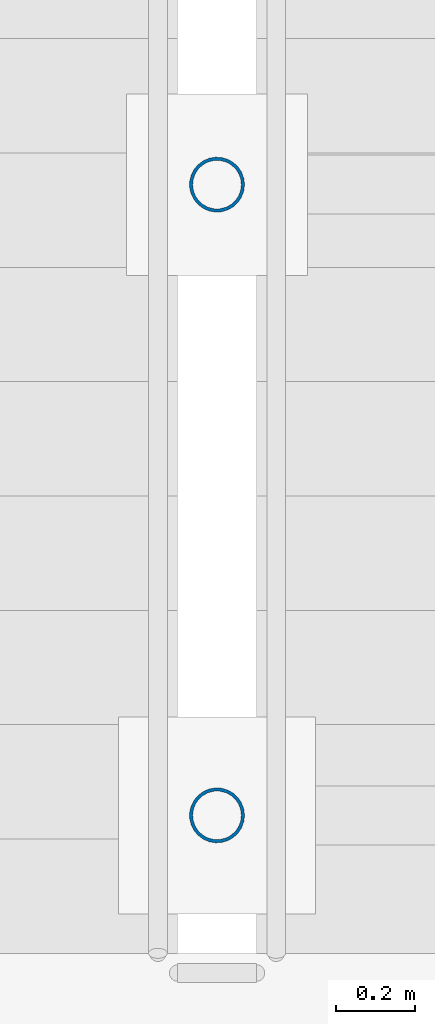
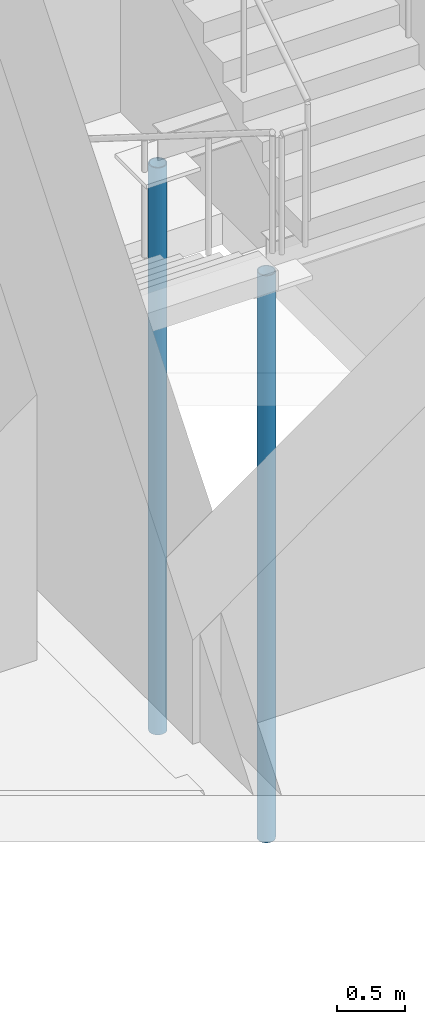
# One storey, part 5 of 106: 2 columns.
"""IFC4 building model written with IfcOpenShell, lengths in metres."""

import ifcopenshell
import ifcopenshell.guid

model = None  # the IFC model being written
_history = None  # IfcOwnerHistory: only IFC2X3 demands one
_inside = {}  # id of a spatial element -> (the spatial element, [elements in it])
_under = {}  # id of a project, library or spatial element -> (it, [spatial elements below it])
_declared = {}  # id of a project -> (the project, [libraries it declares])
_typed = {}  # id of a type object -> (the type object, [elements of that type])
_made_of = {}  # id of a material, layer set ... -> (it, [elements and type objects made of it])


def new_model(schema):
    """Start an empty IFC model of exactly this schema.

    Asked for "IFC4X3", IfcOpenShell would pick the latest addendum, in which some entities
    have other attributes; the version numbers below select the first issue.
    IFC2X3 requires an IfcOwnerHistory on every rooted entity: one is made here for all.
    """
    global model, _history
    if schema == "IFC4X3":
        model = ifcopenshell.file(schema_version=(4, 3, 0, 0))
    else:
        model = ifcopenshell.file(schema=schema)
    _inside.clear()
    _under.clear()
    _declared.clear()
    _typed.clear()
    _made_of.clear()
    _history = None
    if model.schema == "IFC2X3":
        org = make("IfcOrganization", Name="unknown")
        user = make(
            "IfcPersonAndOrganization",
            ThePerson=make("IfcPerson", FamilyName="unknown"),
            TheOrganization=org,
        )
        app = make(
            "IfcApplication",
            ApplicationDeveloper=org,
            Version="unknown",
            ApplicationFullName="unknown",
            ApplicationIdentifier="unknown",
        )
        _history = make(
            "IfcOwnerHistory",
            OwningUser=user,
            OwningApplication=app,
            ChangeAction="ADDED",
            CreationDate=0,
        )
    return model


def make(cls, **values):
    """One entity of the class cls with the attributes given. An attribute that is None is left unset."""
    return model.create_entity(
        cls, **{name: value for name, value in values.items() if value is not None}
    )


def rooted(cls, **values):
    """An entity with a GlobalId (a new one), such as an element, a storey or a relation."""
    return make(cls, GlobalId=ifcopenshell.guid.new(), OwnerHistory=_history, **values)


def si_unit(unit_type, name, prefix=None):
    """IfcSIUnit, for example si_unit("LENGTHUNIT", "METRE", prefix="MILLI")."""
    return make("IfcSIUnit", UnitType=unit_type, Prefix=prefix, Name=name)


def assignment(units):
    """IfcUnitAssignment: the units of a project."""
    return None if units is None else make("IfcUnitAssignment", Units=units)


def point(xyz):
    """IfcCartesianPoint."""
    return None if xyz is None else make("IfcCartesianPoint", Coordinates=xyz)


def direction(xyz):
    """IfcDirection."""
    return None if xyz is None else make("IfcDirection", DirectionRatios=xyz)


def frame(location, z_axis=None, x_axis=None):
    """IfcAxis2Placement3D, a coordinate frame: its origin and axes. An axis left out is left unset."""
    return make(
        "IfcAxis2Placement3D",
        Location=point(location),
        Axis=direction(z_axis),
        RefDirection=direction(x_axis),
    )


def frame_2d(location, x_axis=None):
    """IfcAxis2Placement2D, a coordinate frame in the plane: its origin and x axis."""
    return make(
        "IfcAxis2Placement2D", Location=point(location), RefDirection=direction(x_axis)
    )


def origin():
    """The frame at (0, 0, 0) with its axes left unset."""
    return frame((0.0, 0.0, 0.0))


def origin_2d():
    """The frame at (0, 0) in the plane with its x axis left unset."""
    return frame_2d((0.0, 0.0))


def place(relative_to, where):
    """IfcLocalPlacement: puts the frame where relative to a parent placement (None: the world)."""
    return make(
        "IfcLocalPlacement", PlacementRelTo=relative_to, RelativePlacement=where
    )


def context(
    kind, dimensions, precision=None, world=None, true_north=None, identifier=None
):
    """IfcGeometricRepresentationContext, for example the 3D "Model" context."""
    return make(
        "IfcGeometricRepresentationContext",
        ContextIdentifier=identifier,
        ContextType=kind,
        CoordinateSpaceDimension=dimensions,
        Precision=precision,
        WorldCoordinateSystem=world,
        TrueNorth=true_north,
    )


def subcontext(parent, identifier, kind, view, scale=None):
    """IfcGeometricRepresentationSubContext, for example "Body" below "Model"."""
    return make(
        "IfcGeometricRepresentationSubContext",
        ContextIdentifier=identifier,
        ContextType=kind,
        ParentContext=parent,
        TargetScale=scale,
        TargetView=view,
    )


def project(units=None, contexts=None):
    """IfcProject with its units and contexts."""
    return rooted(
        "IfcProject",
        Name="project",
        RepresentationContexts=contexts,
        UnitsInContext=assignment(units),
    )


def spatial(cls, under=None, at=None, **own):
    """A site, building, storey or space (cls), placed at a placement, below another one or the project."""
    s = rooted(cls, ObjectPlacement=at, **own)
    if under is not None:
        _under.setdefault(under.id(), (under, []))[1].append(s)
    return s


def profile(cls, at=None, kind="AREA", **sizes):
    """A parametric profile (cls). Its sizes go by their IFC names, for example OverallWidth=200.0."""
    return make(cls, ProfileType=kind, Position=at, **sizes)


def hollow_circle(**sizes):
    """IfcCircleHollowProfileDef."""
    return profile("IfcCircleHollowProfileDef", **sizes)


def extrude(swept, where, along, depth):
    """IfcExtrudedAreaSolid: the profile swept, set in the frame where, extruded along a direction by depth."""
    return make(
        "IfcExtrudedAreaSolid",
        SweptArea=swept,
        Position=where,
        ExtrudedDirection=direction(along),
        Depth=depth,
    )


def shape(context_of_items, identifier, shape_type, items):
    """IfcShapeRepresentation: the items that make up one representation, for example the "Body"."""
    return make(
        "IfcShapeRepresentation",
        ContextOfItems=context_of_items,
        RepresentationIdentifier=identifier,
        RepresentationType=shape_type,
        Items=items,
    )


def material(Name=None, Category=None):
    """IfcMaterial."""
    return make("IfcMaterial", Name=Name, Category=Category)


def material_profile(
    of_material, cross_section, Name=None, Category=None, Priority=None
):
    """IfcMaterialProfile: a cross section and its material."""
    return make(
        "IfcMaterialProfile",
        Name=Name,
        Material=of_material,
        Profile=cross_section,
        Priority=Priority,
        Category=Category,
    )


def profile_set(profiles, Name=None, composite=None):
    """IfcMaterialProfileSet."""
    return make(
        "IfcMaterialProfileSet",
        Name=Name,
        MaterialProfiles=profiles,
        CompositeProfile=composite,
    )


def made_of(thing, what):
    """Note that an element or type object is made of a material, layer set ...; save() writes the relation."""
    if what is not None:
        _made_of.setdefault(what.id(), (what, []))[1].append(thing)
    return thing


def type_object(cls, material=None, **own):
    """A type object (cls), such as IfcWallType, which elements share."""
    return made_of(rooted(cls, **own), material)


def element(
    cls,
    number,
    at=None,
    inside=None,
    cuts=None,
    type_object=None,
    material=None,
    context=None,
    identifier="Body",
    shape_type=None,
    held_by="IfcProductDefinitionShape",
    body=None,
    shapes=None,
    **own,
):
    """One element of the class cls, such as IfcWall. Its Tag is "e" and its number.

    at: its placement. inside: the storey or other place that contains it. cuts: it is an
    opening in that element (IfcRelVoidsElement). A single representation is given by context,
    identifier, shape_type and body (its items); several are given by shapes. held_by: the class
    of the entity that holds the representations. save() writes the other relations.
    """
    e = rooted(cls, Tag="e%d" % number, ObjectPlacement=at, **own)
    if body is not None:
        shapes = [shape(context, identifier, shape_type, body)]
    if shapes is not None:
        e.Representation = make(held_by, Representations=shapes)
    if inside is not None:
        _inside.setdefault(inside.id(), (inside, []))[1].append(e)
    if cuts is not None:
        rooted(
            "IfcRelVoidsElement", RelatingBuildingElement=cuts, RelatedOpeningElement=e
        )
    if type_object is not None:
        _typed.setdefault(type_object.id(), (type_object, []))[1].append(e)
    return made_of(e, material)


def aggregate(whole, parts):
    """IfcRelAggregates: a whole, such as a stair, and the parts it consists of."""
    return rooted("IfcRelAggregates", RelatingObject=whole, RelatedObjects=parts)


def save(model, path):
    """Write the relations noted so far, then the file.

    IfcRelAggregates (storeys below a building ...), IfcRelContainedInSpatialStructure (elements
    in a storey), IfcRelDefinesByType, IfcRelAssociatesMaterial and IfcRelDeclares: one each for
    every whole, place, type object, material and project.
    """
    for whole, parts in _under.values():
        aggregate(whole, parts)
    for where, things in _inside.values():
        rooted(
            "IfcRelContainedInSpatialStructure",
            RelatedElements=things,
            RelatingStructure=where,
        )
    for kind, things in _typed.values():
        rooted("IfcRelDefinesByType", RelatedObjects=things, RelatingType=kind)
    for what, things in _made_of.values():
        rooted("IfcRelAssociatesMaterial", RelatedObjects=things, RelatingMaterial=what)
    for by, libraries in _declared.values():
        rooted("IfcRelDeclares", RelatingContext=by, RelatedDefinitions=libraries)
    model.write(path)


model = new_model("IFC4")

# Units and contexts
model_context = context("Model", 3, precision=1e-05, world=origin(), true_north=direction((0.0, 1.0)))
body_context = subcontext(model_context, "Body", "Model", "MODEL_VIEW")
ifc_project = project(units=[si_unit("LENGTHUNIT", "METRE"), si_unit("AREAUNIT", "SQUARE_METRE"), si_unit("VOLUMEUNIT", "CUBIC_METRE"), si_unit("PLANEANGLEUNIT", "RADIAN"), si_unit("MASSUNIT", "GRAM", prefix="KILO")], contexts=[model_context])

# Site, building, storey
site_placement = place(None, origin())
site = spatial("IfcSite", under=ifc_project, at=site_placement, CompositionType="ELEMENT")
building_placement = place(site_placement, origin())
building = spatial("IfcBuilding", under=site, at=building_placement, Name="Krzemoval Escarpment Law Courts", CompositionType="ELEMENT")
storey_placement = place(building_placement, frame((0.0, 0.0, 5.10009765625)))
storey = spatial("IfcBuildingStorey", under=building, at=storey_placement, Name="L01", CompositionType="ELEMENT", Elevation=5.10009765625)

# Columns
ifc_material = material(Name="Steel S355", Category="steel")
ifc_material_profile = material_profile(ifc_material, hollow_circle(Radius=0.06982421875, WallThickness=0.008056640625, at=origin_2d()), Name="CHS 139.7x8")
ifc_profile_set = profile_set([ifc_material_profile], Name="Steel S355")
column_type = type_object("IfcColumnType", Name="COL-S355-CHS140", PredefinedType="COLUMN", material=ifc_profile_set)
for number, where, z_axis, x_axis, name in (
    (1, (27.949951171875, 41.429931640625, -2.97998046875), (0.0, 0.0, 1.0), (1.0, 0.0, 0.0), "Stair Well Post SCP-C5-L01-1"),
    (2, (27.949951171875, 43.030029296875, -2.97998046875), (0.0, 0.0, 1.0), (1.0, 0.0, 0.0), "Stair Well Post SCP-C5-L01-2"),
):
    element("IfcColumn", number, at=place(storey_placement, frame(where, z_axis=z_axis, x_axis=x_axis)), inside=storey, type_object=column_type, Name=name, PredefinedType="COLUMN", context=body_context, shape_type="SweptSolid", body=[
        extrude(hollow_circle(Radius=0.06982421875, WallThickness=0.008056640625, at=origin_2d()), origin(), (0.0, 0.0, 1.0), 5.099853515625),
    ])

save(model, "model.ifc")
